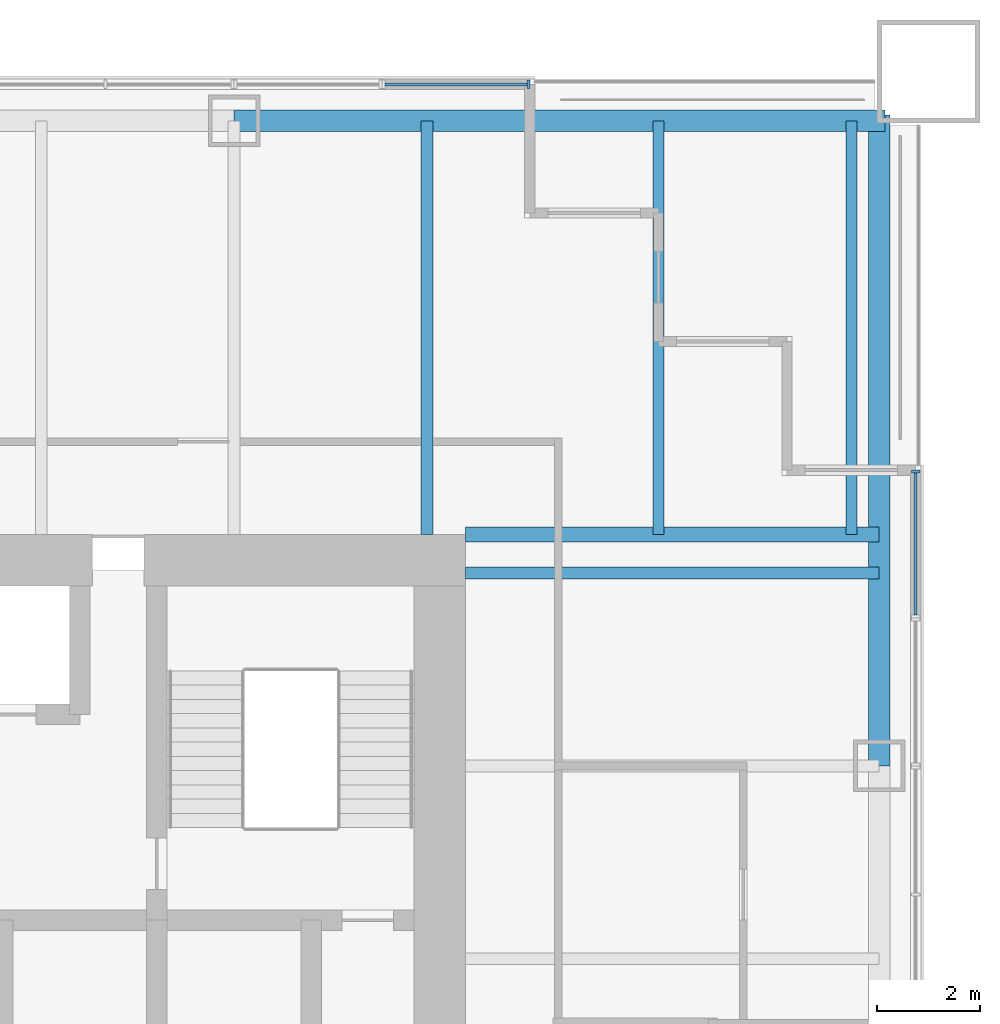
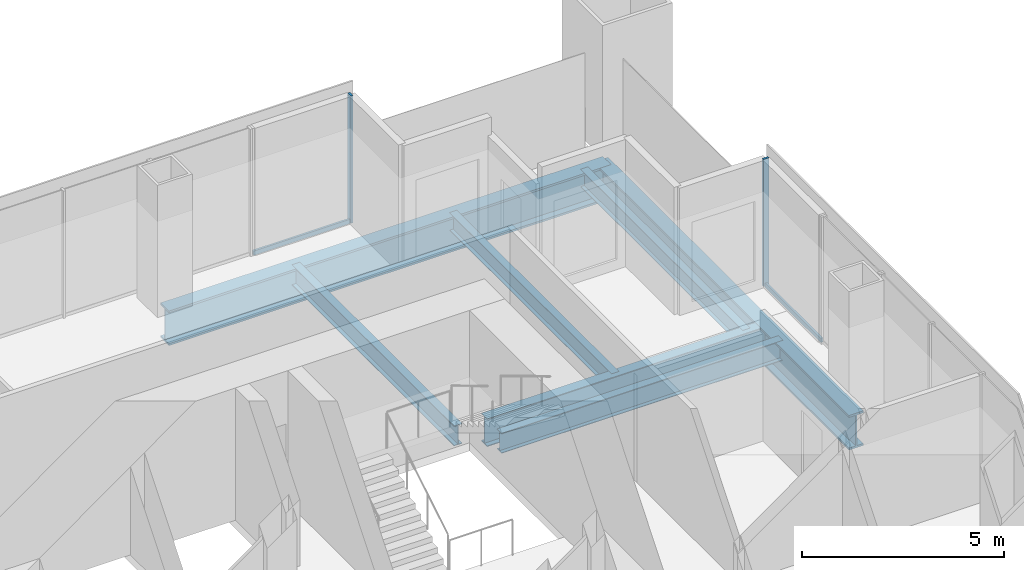
# One storey, part 7 of 14: 7 beams, 4 members, 2 elements without a shape of their own.
"""IFC4 building model written with IfcOpenShell, lengths in metres."""

import ifcopenshell
import ifcopenshell.guid

model = None  # the IFC model being written
_history = None  # IfcOwnerHistory: only IFC2X3 demands one
_inside = {}  # id of a spatial element -> (the spatial element, [elements in it])
_under = {}  # id of a project, library or spatial element -> (it, [spatial elements below it])
_declared = {}  # id of a project -> (the project, [libraries it declares])
_typed = {}  # id of a type object -> (the type object, [elements of that type])
_made_of = {}  # id of a material, layer set ... -> (it, [elements and type objects made of it])


def new_model(schema):
    """Start an empty IFC model of exactly this schema.

    Asked for "IFC4X3", IfcOpenShell would pick the latest addendum, in which some entities
    have other attributes; the version numbers below select the first issue.
    IFC2X3 requires an IfcOwnerHistory on every rooted entity: one is made here for all.
    """
    global model, _history
    if schema == "IFC4X3":
        model = ifcopenshell.file(schema_version=(4, 3, 0, 0))
    else:
        model = ifcopenshell.file(schema=schema)
    _inside.clear()
    _under.clear()
    _declared.clear()
    _typed.clear()
    _made_of.clear()
    _history = None
    if model.schema == "IFC2X3":
        org = make("IfcOrganization", Name="unknown")
        user = make(
            "IfcPersonAndOrganization",
            ThePerson=make("IfcPerson", FamilyName="unknown"),
            TheOrganization=org,
        )
        app = make(
            "IfcApplication",
            ApplicationDeveloper=org,
            Version="unknown",
            ApplicationFullName="unknown",
            ApplicationIdentifier="unknown",
        )
        _history = make(
            "IfcOwnerHistory",
            OwningUser=user,
            OwningApplication=app,
            ChangeAction="ADDED",
            CreationDate=0,
        )
    return model


def make(cls, **values):
    """One entity of the class cls with the attributes given. An attribute that is None is left unset."""
    return model.create_entity(
        cls, **{name: value for name, value in values.items() if value is not None}
    )


def rooted(cls, **values):
    """An entity with a GlobalId (a new one), such as an element, a storey or a relation."""
    return make(cls, GlobalId=ifcopenshell.guid.new(), OwnerHistory=_history, **values)


def si_unit(unit_type, name, prefix=None):
    """IfcSIUnit, for example si_unit("LENGTHUNIT", "METRE", prefix="MILLI")."""
    return make("IfcSIUnit", UnitType=unit_type, Prefix=prefix, Name=name)


def assignment(units):
    """IfcUnitAssignment: the units of a project."""
    return None if units is None else make("IfcUnitAssignment", Units=units)


def point(xyz):
    """IfcCartesianPoint."""
    return None if xyz is None else make("IfcCartesianPoint", Coordinates=xyz)


def direction(xyz):
    """IfcDirection."""
    return None if xyz is None else make("IfcDirection", DirectionRatios=xyz)


def frame(location, z_axis=None, x_axis=None):
    """IfcAxis2Placement3D, a coordinate frame: its origin and axes. An axis left out is left unset."""
    return make(
        "IfcAxis2Placement3D",
        Location=point(location),
        Axis=direction(z_axis),
        RefDirection=direction(x_axis),
    )


def frame_2d(location, x_axis=None):
    """IfcAxis2Placement2D, a coordinate frame in the plane: its origin and x axis."""
    return make(
        "IfcAxis2Placement2D", Location=point(location), RefDirection=direction(x_axis)
    )


def origin():
    """The frame at (0, 0, 0) with its axes left unset."""
    return frame((0.0, 0.0, 0.0))


def origin_2d():
    """The frame at (0, 0) in the plane with its x axis left unset."""
    return frame_2d((0.0, 0.0))


def place(relative_to, where):
    """IfcLocalPlacement: puts the frame where relative to a parent placement (None: the world)."""
    return make(
        "IfcLocalPlacement", PlacementRelTo=relative_to, RelativePlacement=where
    )


def context(
    kind, dimensions, precision=None, world=None, true_north=None, identifier=None
):
    """IfcGeometricRepresentationContext, for example the 3D "Model" context."""
    return make(
        "IfcGeometricRepresentationContext",
        ContextIdentifier=identifier,
        ContextType=kind,
        CoordinateSpaceDimension=dimensions,
        Precision=precision,
        WorldCoordinateSystem=world,
        TrueNorth=true_north,
    )


def subcontext(parent, identifier, kind, view, scale=None):
    """IfcGeometricRepresentationSubContext, for example "Body" below "Model"."""
    return make(
        "IfcGeometricRepresentationSubContext",
        ContextIdentifier=identifier,
        ContextType=kind,
        ParentContext=parent,
        TargetScale=scale,
        TargetView=view,
    )


def project(units=None, contexts=None):
    """IfcProject with its units and contexts."""
    return rooted(
        "IfcProject",
        Name="project",
        RepresentationContexts=contexts,
        UnitsInContext=assignment(units),
    )


def spatial(cls, under=None, at=None, **own):
    """A site, building, storey or space (cls), placed at a placement, below another one or the project."""
    s = rooted(cls, ObjectPlacement=at, **own)
    if under is not None:
        _under.setdefault(under.id(), (under, []))[1].append(s)
    return s


def profile(cls, at=None, kind="AREA", **sizes):
    """A parametric profile (cls). Its sizes go by their IFC names, for example OverallWidth=200.0."""
    return make(cls, ProfileType=kind, Position=at, **sizes)


def rectangle(**sizes):
    """IfcRectangleProfileDef."""
    return profile("IfcRectangleProfileDef", **sizes)


def i_section(**sizes):
    """IfcIShapeProfileDef."""
    return profile("IfcIShapeProfileDef", **sizes)


def extrude(swept, where, along, depth):
    """IfcExtrudedAreaSolid: the profile swept, set in the frame where, extruded along a direction by depth."""
    return make(
        "IfcExtrudedAreaSolid",
        SweptArea=swept,
        Position=where,
        ExtrudedDirection=direction(along),
        Depth=depth,
    )


def shape(context_of_items, identifier, shape_type, items):
    """IfcShapeRepresentation: the items that make up one representation, for example the "Body"."""
    return make(
        "IfcShapeRepresentation",
        ContextOfItems=context_of_items,
        RepresentationIdentifier=identifier,
        RepresentationType=shape_type,
        Items=items,
    )


def material(Name=None, Category=None):
    """IfcMaterial."""
    return make("IfcMaterial", Name=Name, Category=Category)


def material_profile(
    of_material, cross_section, Name=None, Category=None, Priority=None
):
    """IfcMaterialProfile: a cross section and its material."""
    return make(
        "IfcMaterialProfile",
        Name=Name,
        Material=of_material,
        Profile=cross_section,
        Priority=Priority,
        Category=Category,
    )


def profile_set(profiles, Name=None, composite=None):
    """IfcMaterialProfileSet."""
    return make(
        "IfcMaterialProfileSet",
        Name=Name,
        MaterialProfiles=profiles,
        CompositeProfile=composite,
    )


def made_of(thing, what):
    """Note that an element or type object is made of a material, layer set ...; save() writes the relation."""
    if what is not None:
        _made_of.setdefault(what.id(), (what, []))[1].append(thing)
    return thing


def type_object(cls, material=None, **own):
    """A type object (cls), such as IfcWallType, which elements share."""
    return made_of(rooted(cls, **own), material)


def element(
    cls,
    number,
    at=None,
    inside=None,
    cuts=None,
    type_object=None,
    material=None,
    context=None,
    identifier="Body",
    shape_type=None,
    held_by="IfcProductDefinitionShape",
    body=None,
    shapes=None,
    **own,
):
    """One element of the class cls, such as IfcWall. Its Tag is "e" and its number.

    at: its placement. inside: the storey or other place that contains it. cuts: it is an
    opening in that element (IfcRelVoidsElement). A single representation is given by context,
    identifier, shape_type and body (its items); several are given by shapes. held_by: the class
    of the entity that holds the representations. save() writes the other relations.
    """
    e = rooted(cls, Tag="e%d" % number, ObjectPlacement=at, **own)
    if body is not None:
        shapes = [shape(context, identifier, shape_type, body)]
    if shapes is not None:
        e.Representation = make(held_by, Representations=shapes)
    if inside is not None:
        _inside.setdefault(inside.id(), (inside, []))[1].append(e)
    if cuts is not None:
        rooted(
            "IfcRelVoidsElement", RelatingBuildingElement=cuts, RelatedOpeningElement=e
        )
    if type_object is not None:
        _typed.setdefault(type_object.id(), (type_object, []))[1].append(e)
    return made_of(e, material)


def aggregate(whole, parts):
    """IfcRelAggregates: a whole, such as a stair, and the parts it consists of."""
    return rooted("IfcRelAggregates", RelatingObject=whole, RelatedObjects=parts)


def save(model, path):
    """Write the relations noted so far, then the file.

    IfcRelAggregates (storeys below a building ...), IfcRelContainedInSpatialStructure (elements
    in a storey), IfcRelDefinesByType, IfcRelAssociatesMaterial and IfcRelDeclares: one each for
    every whole, place, type object, material and project.
    """
    for whole, parts in _under.values():
        aggregate(whole, parts)
    for where, things in _inside.values():
        rooted(
            "IfcRelContainedInSpatialStructure",
            RelatedElements=things,
            RelatingStructure=where,
        )
    for kind, things in _typed.values():
        rooted("IfcRelDefinesByType", RelatedObjects=things, RelatingType=kind)
    for what, things in _made_of.values():
        rooted("IfcRelAssociatesMaterial", RelatedObjects=things, RelatingMaterial=what)
    for by, libraries in _declared.values():
        rooted("IfcRelDeclares", RelatingContext=by, RelatedDefinitions=libraries)
    model.write(path)


model = new_model("IFC4")

# Units and contexts
model_context = context("Model", 3, precision=1e-05, world=origin(), true_north=direction((0.0, 1.0)))
body_context = subcontext(model_context, "Body", "Model", "MODEL_VIEW")
ifc_project = project(units=[si_unit("LENGTHUNIT", "METRE"), si_unit("AREAUNIT", "SQUARE_METRE"), si_unit("VOLUMEUNIT", "CUBIC_METRE"), si_unit("PLANEANGLEUNIT", "RADIAN"), si_unit("MASSUNIT", "GRAM", prefix="KILO")], contexts=[model_context])

# Site, building, storey
site_placement = place(None, origin())
site = spatial("IfcSite", under=ifc_project, at=site_placement, CompositionType="ELEMENT")
building_placement = place(site_placement, origin())
building = spatial("IfcBuilding", under=site, at=building_placement, Name="Tarangal Relay Tower", CompositionType="ELEMENT")
storey_placement = place(building_placement, frame((0.0, 0.0, 263.89990234375)))
storey = spatial("IfcBuildingStorey", under=building, at=storey_placement, Name="L57", CompositionType="ELEMENT", Elevation=263.89990234375)

# Beams
ifc_material_1 = material(Name="Steel ASTM A992", Category="steel")
ifc_material_profile_1 = material_profile(ifc_material_1, i_section(OverallWidth=0.209228515625, OverallDepth=0.533447265625, WebThickness=0.01025390625, FlangeThickness=0.015625, at=origin_2d()), Name="W21X62")
ifc_profile_set_1 = profile_set([ifc_material_profile_1], Name="Steel ASTM A992")
beam_type_1 = type_object("IfcBeamType", Name="Corner beam W21X62", PredefinedType="JOIST", material=ifc_profile_set_1)
for number, where, z_axis, x_axis, name in (
    (1, (15.75, 12.0, -0.41650390625), (0.0, 1.0, 0.0), (-1.0, 0.0, 0.0), "Corner beam CB12 N L57"),
    (2, (19.5, 12.0, -0.41650390625), (0.0, 1.0, 0.0), (-1.0, 0.0, 0.0), "Corner beam CB12 N L57"),
):
    element("IfcBeam", number, at=place(storey_placement, frame(where, z_axis=z_axis, x_axis=x_axis)), inside=storey, type_object=beam_type_1, Name=name, PredefinedType="JOIST", context=body_context, shape_type="SweptSolid", body=[
        extrude(i_section(OverallWidth=0.209228515625, OverallDepth=0.533447265625, WebThickness=0.01025390625, FlangeThickness=0.015625, at=origin_2d()), origin(), (0.0, 0.0, 1.0), 8.0400390625),
    ])
ifc_material_profile_2 = material_profile(ifc_material_1, i_section(OverallWidth=0.2919921875, OverallDepth=0.8408203125, WebThickness=0.0146484375, FlangeThickness=0.021728515625, at=origin_2d()), Name="W33X130")
ifc_profile_set_2 = profile_set([ifc_material_profile_2], Name="Steel ASTM A992")
beam_type_2 = type_object("IfcBeamType", Name="Corner girder W33X130", PredefinedType="BEAM", material=ifc_profile_set_2)
beam_placement = place(storey_placement, frame((12.0, 12.0, -0.5703125), z_axis=(1.0, 0.0, 0.0), x_axis=(0.0, 1.0, 0.0)))
element("IfcBeam", 3, at=beam_placement, inside=storey, type_object=beam_type_2, Name="Corner girder CG5 N L57", PredefinedType="BEAM", context=body_context, shape_type="SweptSolid", body=[
    extrude(i_section(OverallWidth=0.2919921875, OverallDepth=0.8408203125, WebThickness=0.0146484375, FlangeThickness=0.021728515625, at=origin_2d()), origin(), (0.0, 0.0, 1.0), 8.0400390625),
])
ifc_material_profile_3 = material_profile(ifc_material_1, i_section(OverallWidth=0.41162109375, OverallDepth=1.049072265625, WebThickness=0.033935546875, FlangeThickness=0.059814453125, at=origin_2d()), Name="W40X431")
ifc_profile_set_3 = profile_set([ifc_material_profile_3], Name="Steel ASTM A992")
beam_type_3 = type_object("IfcBeamType", Name="Edge girder W40X431", PredefinedType="SPANDREL", material=ifc_profile_set_3)
for number, where, z_axis, x_axis, name in (
    (4, (7.5, 20.0400390625, -0.67431640625), (1.0, 0.0, 0.0), (0.0, 1.0, 0.0), "Edge girder EG1 N L57"),
    (5, (20.0400390625, 20.14990234375, -0.67431640625), (0.0, -1.0, 0.0), (1.0, 0.0, 0.0), "Edge girder EG1 E L57"),
):
    element("IfcBeam", number, at=place(storey_placement, frame(where, z_axis=z_axis, x_axis=x_axis)), inside=storey, type_object=beam_type_3, Name=name, PredefinedType="SPANDREL", context=body_context, shape_type="SweptSolid", body=[
        extrude(i_section(OverallWidth=0.41162109375, OverallDepth=1.049072265625, WebThickness=0.033935546875, FlangeThickness=0.059814453125, at=origin_2d()), origin(), (0.0, 0.0, 1.0), 12.64990234375),
    ])
ifc_material_profile_4 = material_profile(ifc_material_1, i_section(OverallWidth=0.228271484375, OverallDepth=0.607177734375, WebThickness=0.01123046875, FlangeThickness=0.017333984375, at=origin_2d()), Name="W24X76")
ifc_profile_set_4 = profile_set([ifc_material_profile_4], Name="Steel ASTM A992")
beam_type_4 = type_object("IfcBeamType", Name="Floor beam W24X76", PredefinedType="BEAM", material=ifc_profile_set_4)
for number, where, z_axis, x_axis, name in (
    (6, (11.25, 12.0, -0.453369140625), (0.0, 1.0, 0.0), (-1.0, 0.0, 0.0), "Floor beam RB5 N L57"),
    (7, (12.0, 11.25, -0.453369140625), (1.0, 0.0, 0.0), (0.0, 1.0, 0.0), "Floor beam RB5 E L57"),
):
    element("IfcBeam", number, at=place(storey_placement, frame(where, z_axis=z_axis, x_axis=x_axis)), inside=storey, type_object=beam_type_4, Name=name, PredefinedType="BEAM", context=body_context, shape_type="SweptSolid", body=[
        extrude(i_section(OverallWidth=0.228271484375, OverallDepth=0.607177734375, WebThickness=0.01123046875, FlangeThickness=0.017333984375, at=origin_2d()), origin(), (0.0, 0.0, 1.0), 8.0400390625),
    ])

# Curtain wall, member
ifc_material_2 = material(Name="Unitised curtain wall frame, black aluminium, with metal clad infill walls", Category="aluminium")
curtain_wall_type = type_object("IfcCurtainWallType", Name="Curtain wall CW-BO", PredefinedType="USERDEFINED", material=ifc_material_2)
curtain_wall_1_placement = place(storey_placement, origin())
curtain_wall_1 = element("IfcCurtainWall", 8, at=curtain_wall_1_placement, inside=storey, type_object=curtain_wall_type, Name="Curtain wall CW-BO N facade L57", ObjectType="UNITISED CURTAIN WALL", PredefinedType="USERDEFINED")
ifc_material_3 = material(Name="Black anodised aluminium mullion", Category="aluminium")
ifc_material_profile_5 = material_profile(ifc_material_3, rectangle(XDim=0.159912109375, YDim=0.06005859375, at=origin_2d()), Name="CW-BOM 60X160")
ifc_profile_set_5 = profile_set([ifc_material_profile_5], Name="Black anodised aluminium mullion")
member_type_1 = type_object("IfcMemberType", Name="Mullion CW-BO 60 x 160", PredefinedType="MULLION", material=ifc_profile_set_5)
member_1_placement = place(storey_placement, frame((13.219970703125, 20.75, 0.0), z_axis=(0.0, 0.0, 1.0), x_axis=(0.0, 1.0, 0.0)))
member_1 = element("IfcMember", 9, at=member_1_placement, type_object=member_type_1, Name="CW-BO mullion 2", PredefinedType="MULLION", context=body_context, shape_type="SweptSolid", body=[
    extrude(rectangle(XDim=0.159912109375, YDim=0.06005859375, at=origin_2d()), origin(), (0.0, 0.0, 1.0), 3.85009765625),
])

curtain_wall_2_placement = place(storey_placement, origin())
curtain_wall_2 = element("IfcCurtainWall", 10, at=curtain_wall_2_placement, inside=storey, type_object=curtain_wall_type, Name="Curtain wall CW-BO E facade L57", ObjectType="UNITISED CURTAIN WALL", PredefinedType="USERDEFINED")
member_2_placement = place(storey_placement, frame((20.75, 13.219970703125, 0.0), z_axis=(0.0, 0.0, 1.0), x_axis=(1.0, 0.0, 0.0)))
member_2 = element("IfcMember", 11, at=member_2_placement, type_object=member_type_1, Name="CW-BO mullion 1", PredefinedType="MULLION", context=body_context, shape_type="SweptSolid", body=[
    extrude(rectangle(XDim=0.159912109375, YDim=0.06005859375, at=origin_2d()), origin(), (0.0, 0.0, 1.0), 3.85009765625),
])

# Member
ifc_material_4 = material(Name="Black anodised aluminium transom", Category="aluminium")
ifc_material_profile_6 = material_profile(ifc_material_4, rectangle(XDim=0.06005859375, YDim=0.1298828125, at=origin_2d()), Name="CW-BOT 60X130")
ifc_profile_set_6 = profile_set([ifc_material_profile_6], Name="Black anodised aluminium transom")
member_type_2 = type_object("IfcMemberType", Name="Transom CW-BO 60 x 130", PredefinedType="USERDEFINED", material=ifc_profile_set_6)
member_3_placement = place(storey_placement, frame((10.43505859375, 20.75, 0.030029296875), z_axis=(1.0, 0.0, 0.0), x_axis=(0.0, 1.0, 0.0)))
member_3 = element("IfcMember", 12, at=member_3_placement, type_object=member_type_2, Name="CW-BO transom 1.1", ObjectType="TRANSOM", PredefinedType="USERDEFINED", context=body_context, shape_type="SweptSolid", body=[
    extrude(rectangle(XDim=0.06005859375, YDim=0.1298828125, at=origin_2d()), origin(), (0.0, 0.0, 1.0), 2.7548828125),
])

aggregate(curtain_wall_1, [member_1, member_3])

member_4_placement = place(storey_placement, frame((20.75, 13.18994140625, 0.030029296875), z_axis=(0.0, -1.0, 0.0), x_axis=(1.0, 0.0, 0.0)))
member_4 = element("IfcMember", 13, at=member_4_placement, type_object=member_type_2, Name="CW-BO transom 1.1", ObjectType="TRANSOM", PredefinedType="USERDEFINED", context=body_context, shape_type="SweptSolid", body=[
    extrude(rectangle(XDim=0.06005859375, YDim=0.1298828125, at=origin_2d()), origin(), (0.0, 0.0, 1.0), 2.7548828125),
])

aggregate(curtain_wall_2, [member_2, member_4])

save(model, "model.ifc")
